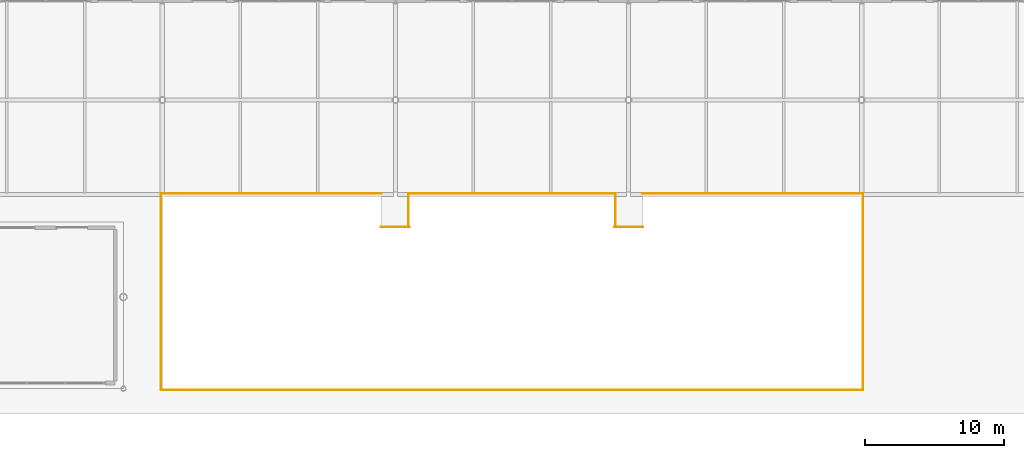
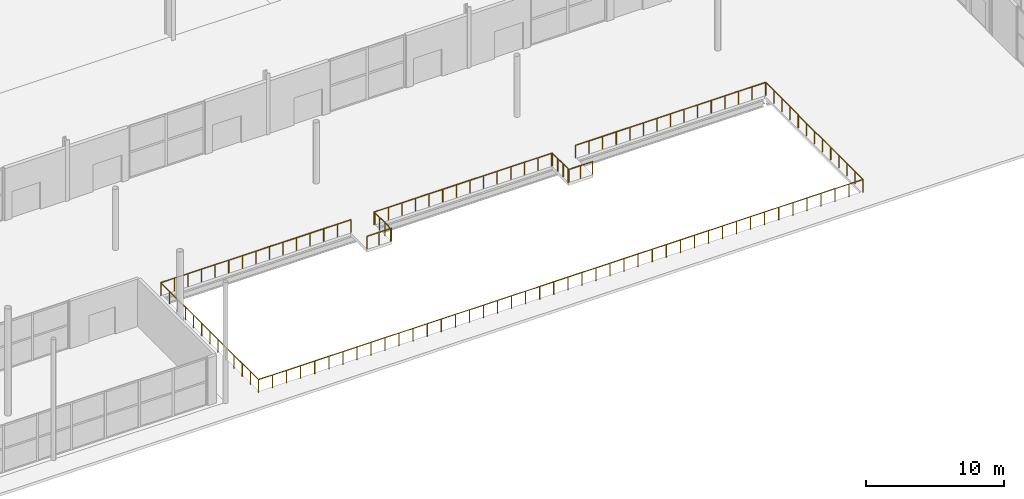
# One storey, part 74 of 87: 10 railings.
"""IFC4 building model written with IfcOpenShell, lengths in metres."""

from ifc_helpers import new_model, si_unit, direction, frame, origin, origin_2d, place, context, subcontext, project, spatial, circle, extrude, material, type_object, element, save


model = new_model("IFC4")

# Units and contexts
model_context = context("Model", 3, precision=1e-05, world=origin(), true_north=direction((0.0, 1.0)))
body_context = subcontext(model_context, "Body", "Model", "MODEL_VIEW")
ifc_project = project(units=[si_unit("LENGTHUNIT", "METRE"), si_unit("AREAUNIT", "SQUARE_METRE"), si_unit("VOLUMEUNIT", "CUBIC_METRE"), si_unit("PLANEANGLEUNIT", "RADIAN"), si_unit("MASSUNIT", "GRAM", prefix="KILO")], contexts=[model_context])

# Site, building, storey
site_placement = place(None, origin())
site = spatial("IfcSite", under=ifc_project, at=site_placement, CompositionType="ELEMENT")
building_placement = place(site_placement, origin())
building = spatial("IfcBuilding", under=site, at=building_placement, Name="Kimbaza Rail Terminus", CompositionType="ELEMENT")
storey_placement = place(building_placement, origin())
storey = spatial("IfcBuildingStorey", under=building, at=storey_placement, Name="L00", CompositionType="ELEMENT", Elevation=0.0)

# Railings
ifc_material = material(Name="Painted galvanised steel platform perimeter guard", Category="steel")
railing_type = type_object("IfcRailingType", Name="ARC-RL-BAL115", PredefinedType="BALUSTRADE", material=ifc_material)
railing_1_placement = place(storey_placement, frame((88.699951171875, 27.0, 0.0)))
element("IfcRailing", 1, at=railing_1_placement, inside=storey, type_object=railing_type, Name="Safety Balustrade GRD-PLZ-W", PredefinedType="BALUSTRADE", context=body_context, shape_type="SweptSolid", body=[
    extrude(circle(Radius=0.02392578125, at=origin_2d()), frame((0.0, 0.0, 1.1259765625), z_axis=(0.0, -1.0, 0.0), x_axis=(1.0, 0.0, 0.0)), (0.0, 0.0, 1.0), 14.10009765625),
    extrude(circle(Radius=0.02099609375, at=origin_2d()), origin(), (0.0, 0.0, 1.0), 1.101806640625),
    extrude(circle(Radius=0.02099609375, at=origin_2d()), frame((0.0, -1.175048828125, 0.0)), (0.0, 0.0, 1.0), 1.101806640625),
    extrude(circle(Radius=0.02099609375, at=origin_2d()), frame((0.0, -2.35009765625, 0.0)), (0.0, 0.0, 1.0), 1.101806640625),
    extrude(circle(Radius=0.02099609375, at=origin_2d()), frame((0.0, -3.52490234375, 0.0)), (0.0, 0.0, 1.0), 1.101806640625),
    extrude(circle(Radius=0.02099609375, at=origin_2d()), frame((0.0, -4.699951171875, 0.0)), (0.0, 0.0, 1.0), 1.101806640625),
    extrude(circle(Radius=0.02099609375, at=origin_2d()), frame((0.0, -5.875, 0.0)), (0.0, 0.0, 1.0), 1.101806640625),
    extrude(circle(Radius=0.02099609375, at=origin_2d()), frame((0.0, -7.050048828125, 0.0)), (0.0, 0.0, 1.0), 1.101806640625),
    extrude(circle(Radius=0.02099609375, at=origin_2d()), frame((0.0, -8.22509765625, 0.0)), (0.0, 0.0, 1.0), 1.101806640625),
    extrude(circle(Radius=0.02099609375, at=origin_2d()), frame((0.0, -9.400146484375, 0.0)), (0.0, 0.0, 1.0), 1.101806640625),
    extrude(circle(Radius=0.02099609375, at=origin_2d()), frame((0.0, -10.5751953125, 0.0)), (0.0, 0.0, 1.0), 1.101806640625),
    extrude(circle(Radius=0.02099609375, at=origin_2d()), frame((0.0, -11.75, 0.0)), (0.0, 0.0, 1.0), 1.101806640625),
    extrude(circle(Radius=0.02099609375, at=origin_2d()), frame((0.0, -12.925048828125, 0.0)), (0.0, 0.0, 1.0), 1.101806640625),
    extrude(circle(Radius=0.02099609375, at=origin_2d()), frame((0.0, -14.10009765625, 0.0)), (0.0, 0.0, 1.0), 1.101806640625),
])
railing_2_placement = place(storey_placement, frame((88.699951171875, 12.89990234375, 0.0)))
element("IfcRailing", 2, at=railing_2_placement, inside=storey, type_object=railing_type, Name="Safety Balustrade GRD-PLZ-S", PredefinedType="BALUSTRADE", context=body_context, shape_type="SweptSolid", body=[
    extrude(circle(Radius=0.02392578125, at=origin_2d()), frame((0.0, 0.0, 1.1259765625), z_axis=(1.0, 0.0, 0.0), x_axis=(0.0, 1.0, 0.0)), (0.0, 0.0, 1.0), 50.60009765625),
    extrude(circle(Radius=0.02099609375, at=origin_2d()), origin(), (0.0, 0.0, 1.0), 1.101806640625),
    extrude(circle(Radius=0.02099609375, at=origin_2d()), frame((1.1767578125, 0.0, 0.0)), (0.0, 0.0, 1.0), 1.101806640625),
    extrude(circle(Radius=0.02099609375, at=origin_2d()), frame((2.353515625, 0.0, 0.0)), (0.0, 0.0, 1.0), 1.101806640625),
    extrude(circle(Radius=0.02099609375, at=origin_2d()), frame((3.5302734375, 0.0, 0.0)), (0.0, 0.0, 1.0), 1.101806640625),
    extrude(circle(Radius=0.02099609375, at=origin_2d()), frame((4.70703125, 0.0, 0.0)), (0.0, 0.0, 1.0), 1.101806640625),
    extrude(circle(Radius=0.02099609375, at=origin_2d()), frame((5.8837890625, 0.0, 0.0)), (0.0, 0.0, 1.0), 1.101806640625),
    extrude(circle(Radius=0.02099609375, at=origin_2d()), frame((7.060546875, 0.0, 0.0)), (0.0, 0.0, 1.0), 1.101806640625),
    extrude(circle(Radius=0.02099609375, at=origin_2d()), frame((8.2373046875, 0.0, 0.0)), (0.0, 0.0, 1.0), 1.101806640625),
    extrude(circle(Radius=0.02099609375, at=origin_2d()), frame((9.4140625, 0.0, 0.0)), (0.0, 0.0, 1.0), 1.101806640625),
    extrude(circle(Radius=0.02099609375, at=origin_2d()), frame((10.5908203125, 0.0, 0.0)), (0.0, 0.0, 1.0), 1.101806640625),
    extrude(circle(Radius=0.02099609375, at=origin_2d()), frame((11.767578125, 0.0, 0.0)), (0.0, 0.0, 1.0), 1.101806640625),
    extrude(circle(Radius=0.02099609375, at=origin_2d()), frame((12.944091796875, 0.0, 0.0)), (0.0, 0.0, 1.0), 1.101806640625),
    extrude(circle(Radius=0.02099609375, at=origin_2d()), frame((14.120849609375, 0.0, 0.0)), (0.0, 0.0, 1.0), 1.101806640625),
    extrude(circle(Radius=0.02099609375, at=origin_2d()), frame((15.297607421875, 0.0, 0.0)), (0.0, 0.0, 1.0), 1.101806640625),
    extrude(circle(Radius=0.02099609375, at=origin_2d()), frame((16.474365234375, 0.0, 0.0)), (0.0, 0.0, 1.0), 1.101806640625),
    extrude(circle(Radius=0.02099609375, at=origin_2d()), frame((17.651123046875, 0.0, 0.0)), (0.0, 0.0, 1.0), 1.101806640625),
    extrude(circle(Radius=0.02099609375, at=origin_2d()), frame((18.827880859375, 0.0, 0.0)), (0.0, 0.0, 1.0), 1.101806640625),
    extrude(circle(Radius=0.02099609375, at=origin_2d()), frame((20.004638671875, 0.0, 0.0)), (0.0, 0.0, 1.0), 1.101806640625),
    extrude(circle(Radius=0.02099609375, at=origin_2d()), frame((21.181396484375, 0.0, 0.0)), (0.0, 0.0, 1.0), 1.101806640625),
    extrude(circle(Radius=0.02099609375, at=origin_2d()), frame((22.358154296875, 0.0, 0.0)), (0.0, 0.0, 1.0), 1.101806640625),
    extrude(circle(Radius=0.02099609375, at=origin_2d()), frame((23.534912109375, 0.0, 0.0)), (0.0, 0.0, 1.0), 1.101806640625),
    extrude(circle(Radius=0.02099609375, at=origin_2d()), frame((24.711669921875, 0.0, 0.0)), (0.0, 0.0, 1.0), 1.101806640625),
    extrude(circle(Radius=0.02099609375, at=origin_2d()), frame((25.888427734375, 0.0, 0.0)), (0.0, 0.0, 1.0), 1.101806640625),
    extrude(circle(Radius=0.02099609375, at=origin_2d()), frame((27.065185546875, 0.0, 0.0)), (0.0, 0.0, 1.0), 1.101806640625),
    extrude(circle(Radius=0.02099609375, at=origin_2d()), frame((28.241943359375, 0.0, 0.0)), (0.0, 0.0, 1.0), 1.101806640625),
    extrude(circle(Radius=0.02099609375, at=origin_2d()), frame((29.418701171875, 0.0, 0.0)), (0.0, 0.0, 1.0), 1.101806640625),
    extrude(circle(Radius=0.02099609375, at=origin_2d()), frame((30.595458984375, 0.0, 0.0)), (0.0, 0.0, 1.0), 1.101806640625),
    extrude(circle(Radius=0.02099609375, at=origin_2d()), frame((31.772216796875, 0.0, 0.0)), (0.0, 0.0, 1.0), 1.101806640625),
    extrude(circle(Radius=0.02099609375, at=origin_2d()), frame((32.948974609375, 0.0, 0.0)), (0.0, 0.0, 1.0), 1.101806640625),
    extrude(circle(Radius=0.02099609375, at=origin_2d()), frame((34.125732421875, 0.0, 0.0)), (0.0, 0.0, 1.0), 1.101806640625),
    extrude(circle(Radius=0.02099609375, at=origin_2d()), frame((35.302490234375, 0.0, 0.0)), (0.0, 0.0, 1.0), 1.101806640625),
    extrude(circle(Radius=0.02099609375, at=origin_2d()), frame((36.479248046875, 0.0, 0.0)), (0.0, 0.0, 1.0), 1.101806640625),
    extrude(circle(Radius=0.02099609375, at=origin_2d()), frame((37.656005859375, 0.0, 0.0)), (0.0, 0.0, 1.0), 1.101806640625),
    extrude(circle(Radius=0.02099609375, at=origin_2d()), frame((38.83251953125, 0.0, 0.0)), (0.0, 0.0, 1.0), 1.101806640625),
    extrude(circle(Radius=0.02099609375, at=origin_2d()), frame((40.00927734375, 0.0, 0.0)), (0.0, 0.0, 1.0), 1.101806640625),
    extrude(circle(Radius=0.02099609375, at=origin_2d()), frame((41.18603515625, 0.0, 0.0)), (0.0, 0.0, 1.0), 1.101806640625),
    extrude(circle(Radius=0.02099609375, at=origin_2d()), frame((42.36279296875, 0.0, 0.0)), (0.0, 0.0, 1.0), 1.101806640625),
    extrude(circle(Radius=0.02099609375, at=origin_2d()), frame((43.53955078125, 0.0, 0.0)), (0.0, 0.0, 1.0), 1.101806640625),
    extrude(circle(Radius=0.02099609375, at=origin_2d()), frame((44.71630859375, 0.0, 0.0)), (0.0, 0.0, 1.0), 1.101806640625),
    extrude(circle(Radius=0.02099609375, at=origin_2d()), frame((45.89306640625, 0.0, 0.0)), (0.0, 0.0, 1.0), 1.101806640625),
    extrude(circle(Radius=0.02099609375, at=origin_2d()), frame((47.06982421875, 0.0, 0.0)), (0.0, 0.0, 1.0), 1.101806640625),
    extrude(circle(Radius=0.02099609375, at=origin_2d()), frame((48.24658203125, 0.0, 0.0)), (0.0, 0.0, 1.0), 1.101806640625),
    extrude(circle(Radius=0.02099609375, at=origin_2d()), frame((49.42333984375, 0.0, 0.0)), (0.0, 0.0, 1.0), 1.101806640625),
    extrude(circle(Radius=0.02099609375, at=origin_2d()), frame((50.60009765625, 0.0, 0.0)), (0.0, 0.0, 1.0), 1.101806640625),
])
railing_3_placement = place(storey_placement, frame((139.300048828125, 12.89990234375, 0.0)))
element("IfcRailing", 3, at=railing_3_placement, inside=storey, type_object=railing_type, Name="Safety Balustrade GRD-PLZ-E", PredefinedType="BALUSTRADE", context=body_context, shape_type="SweptSolid", body=[
    extrude(circle(Radius=0.02392578125, at=origin_2d()), frame((0.0, 0.0, 1.1259765625), z_axis=(0.0, 1.0, 0.0), x_axis=(-1.0, 0.0, 0.0)), (0.0, 0.0, 1.0), 14.10009765625),
    extrude(circle(Radius=0.02099609375, at=origin_2d()), origin(), (0.0, 0.0, 1.0), 1.101806640625),
    extrude(circle(Radius=0.02099609375, at=origin_2d()), frame((0.0, 1.175048828125, 0.0)), (0.0, 0.0, 1.0), 1.101806640625),
    extrude(circle(Radius=0.02099609375, at=origin_2d()), frame((0.0, 2.35009765625, 0.0)), (0.0, 0.0, 1.0), 1.101806640625),
    extrude(circle(Radius=0.02099609375, at=origin_2d()), frame((0.0, 3.52490234375, 0.0)), (0.0, 0.0, 1.0), 1.101806640625),
    extrude(circle(Radius=0.02099609375, at=origin_2d()), frame((0.0, 4.699951171875, 0.0)), (0.0, 0.0, 1.0), 1.101806640625),
    extrude(circle(Radius=0.02099609375, at=origin_2d()), frame((0.0, 5.875, 0.0)), (0.0, 0.0, 1.0), 1.101806640625),
    extrude(circle(Radius=0.02099609375, at=origin_2d()), frame((0.0, 7.050048828125, 0.0)), (0.0, 0.0, 1.0), 1.101806640625),
    extrude(circle(Radius=0.02099609375, at=origin_2d()), frame((0.0, 8.22509765625, 0.0)), (0.0, 0.0, 1.0), 1.101806640625),
    extrude(circle(Radius=0.02099609375, at=origin_2d()), frame((0.0, 9.400146484375, 0.0)), (0.0, 0.0, 1.0), 1.101806640625),
    extrude(circle(Radius=0.02099609375, at=origin_2d()), frame((0.0, 10.5751953125, 0.0)), (0.0, 0.0, 1.0), 1.101806640625),
    extrude(circle(Radius=0.02099609375, at=origin_2d()), frame((0.0, 11.75, 0.0)), (0.0, 0.0, 1.0), 1.101806640625),
    extrude(circle(Radius=0.02099609375, at=origin_2d()), frame((0.0, 12.925048828125, 0.0)), (0.0, 0.0, 1.0), 1.101806640625),
    extrude(circle(Radius=0.02099609375, at=origin_2d()), frame((0.0, 14.10009765625, 0.0)), (0.0, 0.0, 1.0), 1.101806640625),
])
railing_4_placement = place(storey_placement, frame((88.699951171875, 27.050048828125, 0.0)))
element("IfcRailing", 4, at=railing_4_placement, inside=storey, type_object=railing_type, Name="Safety Balustrade GRD-PLZ-NW", PredefinedType="BALUSTRADE", context=body_context, shape_type="SweptSolid", body=[
    extrude(circle(Radius=0.02392578125, at=origin_2d()), frame((0.0, 0.0, 1.1259765625), z_axis=(1.0, 0.0, 0.0), x_axis=(0.0, 1.0, 0.0)), (0.0, 0.0, 1.0), 15.900146484375),
    extrude(circle(Radius=0.02099609375, at=origin_2d()), origin(), (0.0, 0.0, 1.0), 1.101806640625),
    extrude(circle(Radius=0.02099609375, at=origin_2d()), frame((1.1357421875, 0.0, 0.0)), (0.0, 0.0, 1.0), 1.101806640625),
    extrude(circle(Radius=0.02099609375, at=origin_2d()), frame((2.271484375, 0.0, 0.0)), (0.0, 0.0, 1.0), 1.101806640625),
    extrude(circle(Radius=0.02099609375, at=origin_2d()), frame((3.4072265625, 0.0, 0.0)), (0.0, 0.0, 1.0), 1.101806640625),
    extrude(circle(Radius=0.02099609375, at=origin_2d()), frame((4.54296875, 0.0, 0.0)), (0.0, 0.0, 1.0), 1.101806640625),
    extrude(circle(Radius=0.02099609375, at=origin_2d()), frame((5.6787109375, 0.0, 0.0)), (0.0, 0.0, 1.0), 1.101806640625),
    extrude(circle(Radius=0.02099609375, at=origin_2d()), frame((6.814453125, 0.0, 0.0)), (0.0, 0.0, 1.0), 1.101806640625),
    extrude(circle(Radius=0.02099609375, at=origin_2d()), frame((7.9501953125, 0.0, 0.0)), (0.0, 0.0, 1.0), 1.101806640625),
    extrude(circle(Radius=0.02099609375, at=origin_2d()), frame((9.085693359375, 0.0, 0.0)), (0.0, 0.0, 1.0), 1.101806640625),
    extrude(circle(Radius=0.02099609375, at=origin_2d()), frame((10.221435546875, 0.0, 0.0)), (0.0, 0.0, 1.0), 1.101806640625),
    extrude(circle(Radius=0.02099609375, at=origin_2d()), frame((11.357177734375, 0.0, 0.0)), (0.0, 0.0, 1.0), 1.101806640625),
    extrude(circle(Radius=0.02099609375, at=origin_2d()), frame((12.492919921875, 0.0, 0.0)), (0.0, 0.0, 1.0), 1.101806640625),
    extrude(circle(Radius=0.02099609375, at=origin_2d()), frame((13.628662109375, 0.0, 0.0)), (0.0, 0.0, 1.0), 1.101806640625),
    extrude(circle(Radius=0.02099609375, at=origin_2d()), frame((14.764404296875, 0.0, 0.0)), (0.0, 0.0, 1.0), 1.101806640625),
    extrude(circle(Radius=0.02099609375, at=origin_2d()), frame((15.900146484375, 0.0, 0.0)), (0.0, 0.0, 1.0), 1.101806640625),
])
railing_5_placement = place(storey_placement, frame((106.60009765625, 27.050048828125, 0.0)))
element("IfcRailing", 5, at=railing_5_placement, inside=storey, type_object=railing_type, Name="Safety Balustrade GRD-PLZ-NM", PredefinedType="BALUSTRADE", context=body_context, shape_type="SweptSolid", body=[
    extrude(circle(Radius=0.02392578125, at=origin_2d()), frame((0.0, 0.0, 1.1259765625), z_axis=(1.0, 0.0, 0.0), x_axis=(0.0, 1.0, 0.0)), (0.0, 0.0, 1.0), 14.7998046875),
    extrude(circle(Radius=0.02099609375, at=origin_2d()), origin(), (0.0, 0.0, 1.0), 1.101806640625),
    extrude(circle(Radius=0.02099609375, at=origin_2d()), frame((1.138427734375, 0.0, 0.0)), (0.0, 0.0, 1.0), 1.101806640625),
    extrude(circle(Radius=0.02099609375, at=origin_2d()), frame((2.27685546875, 0.0, 0.0)), (0.0, 0.0, 1.0), 1.101806640625),
    extrude(circle(Radius=0.02099609375, at=origin_2d()), frame((3.415283203125, 0.0, 0.0)), (0.0, 0.0, 1.0), 1.101806640625),
    extrude(circle(Radius=0.02099609375, at=origin_2d()), frame((4.5537109375, 0.0, 0.0)), (0.0, 0.0, 1.0), 1.101806640625),
    extrude(circle(Radius=0.02099609375, at=origin_2d()), frame((5.692138671875, 0.0, 0.0)), (0.0, 0.0, 1.0), 1.101806640625),
    extrude(circle(Radius=0.02099609375, at=origin_2d()), frame((6.83056640625, 0.0, 0.0)), (0.0, 0.0, 1.0), 1.101806640625),
    extrude(circle(Radius=0.02099609375, at=origin_2d()), frame((7.96923828125, 0.0, 0.0)), (0.0, 0.0, 1.0), 1.101806640625),
    extrude(circle(Radius=0.02099609375, at=origin_2d()), frame((9.107666015625, 0.0, 0.0)), (0.0, 0.0, 1.0), 1.101806640625),
    extrude(circle(Radius=0.02099609375, at=origin_2d()), frame((10.24609375, 0.0, 0.0)), (0.0, 0.0, 1.0), 1.101806640625),
    extrude(circle(Radius=0.02099609375, at=origin_2d()), frame((11.384521484375, 0.0, 0.0)), (0.0, 0.0, 1.0), 1.101806640625),
    extrude(circle(Radius=0.02099609375, at=origin_2d()), frame((12.52294921875, 0.0, 0.0)), (0.0, 0.0, 1.0), 1.101806640625),
    extrude(circle(Radius=0.02099609375, at=origin_2d()), frame((13.661376953125, 0.0, 0.0)), (0.0, 0.0, 1.0), 1.101806640625),
    extrude(circle(Radius=0.02099609375, at=origin_2d()), frame((14.7998046875, 0.0, 0.0)), (0.0, 0.0, 1.0), 1.101806640625),
])
railing_6_placement = place(storey_placement, frame((123.39990234375, 27.050048828125, 0.0)))
element("IfcRailing", 6, at=railing_6_placement, inside=storey, type_object=railing_type, Name="Safety Balustrade GRD-PLZ-NE", PredefinedType="BALUSTRADE", context=body_context, shape_type="SweptSolid", body=[
    extrude(circle(Radius=0.02392578125, at=origin_2d()), frame((0.0, 0.0, 1.1259765625), z_axis=(1.0, 0.0, 0.0), x_axis=(0.0, 1.0, 0.0)), (0.0, 0.0, 1.0), 15.900146484375),
    extrude(circle(Radius=0.02099609375, at=origin_2d()), origin(), (0.0, 0.0, 1.0), 1.101806640625),
    extrude(circle(Radius=0.02099609375, at=origin_2d()), frame((1.1357421875, 0.0, 0.0)), (0.0, 0.0, 1.0), 1.101806640625),
    extrude(circle(Radius=0.02099609375, at=origin_2d()), frame((2.271484375, 0.0, 0.0)), (0.0, 0.0, 1.0), 1.101806640625),
    extrude(circle(Radius=0.02099609375, at=origin_2d()), frame((3.4072265625, 0.0, 0.0)), (0.0, 0.0, 1.0), 1.101806640625),
    extrude(circle(Radius=0.02099609375, at=origin_2d()), frame((4.54296875, 0.0, 0.0)), (0.0, 0.0, 1.0), 1.101806640625),
    extrude(circle(Radius=0.02099609375, at=origin_2d()), frame((5.6787109375, 0.0, 0.0)), (0.0, 0.0, 1.0), 1.101806640625),
    extrude(circle(Radius=0.02099609375, at=origin_2d()), frame((6.814453125, 0.0, 0.0)), (0.0, 0.0, 1.0), 1.101806640625),
    extrude(circle(Radius=0.02099609375, at=origin_2d()), frame((7.9501953125, 0.0, 0.0)), (0.0, 0.0, 1.0), 1.101806640625),
    extrude(circle(Radius=0.02099609375, at=origin_2d()), frame((9.085693359375, 0.0, 0.0)), (0.0, 0.0, 1.0), 1.101806640625),
    extrude(circle(Radius=0.02099609375, at=origin_2d()), frame((10.221435546875, 0.0, 0.0)), (0.0, 0.0, 1.0), 1.101806640625),
    extrude(circle(Radius=0.02099609375, at=origin_2d()), frame((11.357177734375, 0.0, 0.0)), (0.0, 0.0, 1.0), 1.101806640625),
    extrude(circle(Radius=0.02099609375, at=origin_2d()), frame((12.492919921875, 0.0, 0.0)), (0.0, 0.0, 1.0), 1.101806640625),
    extrude(circle(Radius=0.02099609375, at=origin_2d()), frame((13.628662109375, 0.0, 0.0)), (0.0, 0.0, 1.0), 1.101806640625),
    extrude(circle(Radius=0.02099609375, at=origin_2d()), frame((14.764404296875, 0.0, 0.0)), (0.0, 0.0, 1.0), 1.101806640625),
    extrude(circle(Radius=0.02099609375, at=origin_2d()), frame((15.900146484375, 0.0, 0.0)), (0.0, 0.0, 1.0), 1.101806640625),
])
railing_7_placement = place(storey_placement, frame((104.550048828125, 24.64990234375, 0.0)))
element("IfcRailing", 7, at=railing_7_placement, inside=storey, type_object=railing_type, Name="Ramp Top South Guard 1", PredefinedType="BALUSTRADE", context=body_context, shape_type="SweptSolid", body=[
    extrude(circle(Radius=0.02392578125, at=origin_2d()), frame((0.0, 0.0, 1.1259765625), z_axis=(1.0, 0.0, 0.0), x_axis=(0.0, 1.0, 0.0)), (0.0, 0.0, 1.0), 2.050048828125),
    extrude(circle(Radius=0.02099609375, at=origin_2d()), origin(), (0.0, 0.0, 1.0), 1.101806640625),
    extrude(circle(Radius=0.02099609375, at=origin_2d()), frame((1.02490234375, 0.0, 0.0)), (0.0, 0.0, 1.0), 1.101806640625),
    extrude(circle(Radius=0.02099609375, at=origin_2d()), frame((2.050048828125, 0.0, 0.0)), (0.0, 0.0, 1.0), 1.101806640625),
])
railing_8_placement = place(storey_placement, frame((106.550048828125, 24.64990234375, 0.0)))
element("IfcRailing", 8, at=railing_8_placement, inside=storey, type_object=railing_type, Name="Ramp Top Side Guard 1", PredefinedType="BALUSTRADE", context=body_context, shape_type="SweptSolid", body=[
    extrude(circle(Radius=0.02392578125, at=origin_2d()), frame((0.0, 0.0, 1.1259765625), z_axis=(0.0, 1.0, 0.0), x_axis=(-1.0, 0.0, 0.0)), (0.0, 0.0, 1.0), 2.400146484375),
    extrude(circle(Radius=0.02099609375, at=origin_2d()), origin(), (0.0, 0.0, 1.0), 1.101806640625),
    extrude(circle(Radius=0.02099609375, at=origin_2d()), frame((0.0, 0.800048828125, 0.0)), (0.0, 0.0, 1.0), 1.101806640625),
    extrude(circle(Radius=0.02099609375, at=origin_2d()), frame((0.0, 1.60009765625, 0.0)), (0.0, 0.0, 1.0), 1.101806640625),
    extrude(circle(Radius=0.02099609375, at=origin_2d()), frame((0.0, 2.400146484375, 0.0)), (0.0, 0.0, 1.0), 1.101806640625),
])
railing_9_placement = place(storey_placement, frame((121.39990234375, 24.64990234375, 0.0)))
element("IfcRailing", 9, at=railing_9_placement, inside=storey, type_object=railing_type, Name="Ramp Top South Guard 4", PredefinedType="BALUSTRADE", context=body_context, shape_type="SweptSolid", body=[
    extrude(circle(Radius=0.02392578125, at=origin_2d()), frame((0.0, 0.0, 1.1259765625), z_axis=(1.0, 0.0, 0.0), x_axis=(0.0, 1.0, 0.0)), (0.0, 0.0, 1.0), 2.050048828125),
    extrude(circle(Radius=0.02099609375, at=origin_2d()), origin(), (0.0, 0.0, 1.0), 1.101806640625),
    extrude(circle(Radius=0.02099609375, at=origin_2d()), frame((1.02490234375, 0.0, 0.0)), (0.0, 0.0, 1.0), 1.101806640625),
    extrude(circle(Radius=0.02099609375, at=origin_2d()), frame((2.050048828125, 0.0, 0.0)), (0.0, 0.0, 1.0), 1.101806640625),
])
railing_10_placement = place(storey_placement, frame((121.449951171875, 24.64990234375, 0.0)))
element("IfcRailing", 10, at=railing_10_placement, inside=storey, type_object=railing_type, Name="Ramp Top Side Guard 4", PredefinedType="BALUSTRADE", context=body_context, shape_type="SweptSolid", body=[
    extrude(circle(Radius=0.02392578125, at=origin_2d()), frame((0.0, 0.0, 1.1259765625), z_axis=(0.0, 1.0, 0.0), x_axis=(-1.0, 0.0, 0.0)), (0.0, 0.0, 1.0), 2.400146484375),
    extrude(circle(Radius=0.02099609375, at=origin_2d()), origin(), (0.0, 0.0, 1.0), 1.101806640625),
    extrude(circle(Radius=0.02099609375, at=origin_2d()), frame((0.0, 0.800048828125, 0.0)), (0.0, 0.0, 1.0), 1.101806640625),
    extrude(circle(Radius=0.02099609375, at=origin_2d()), frame((0.0, 1.60009765625, 0.0)), (0.0, 0.0, 1.0), 1.101806640625),
    extrude(circle(Radius=0.02099609375, at=origin_2d()), frame((0.0, 2.400146484375, 0.0)), (0.0, 0.0, 1.0), 1.101806640625),
])

save(model, "model.ifc")
